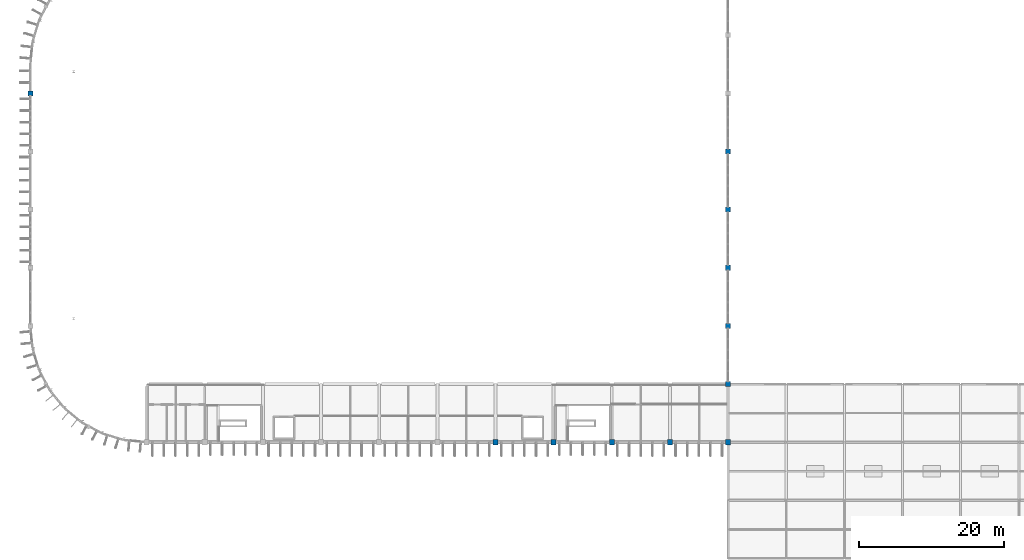
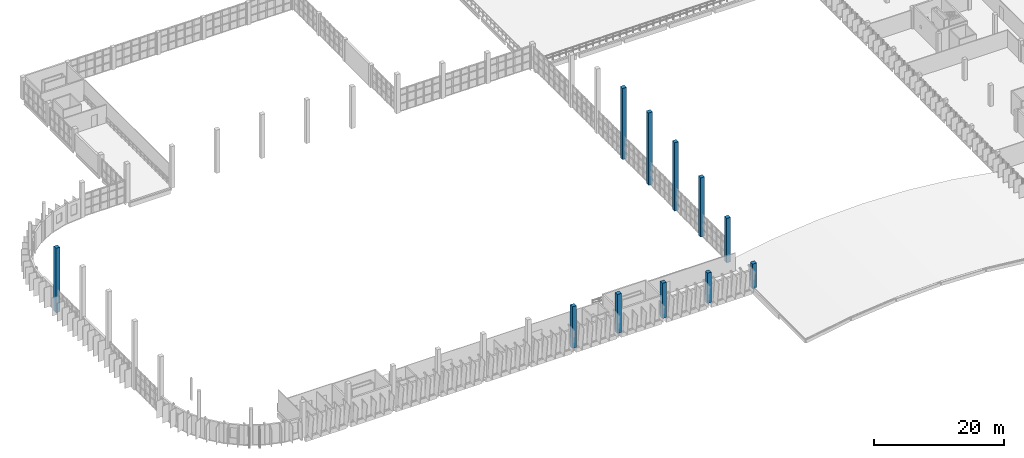
# One storey, part 4 of 66: 11 columns.
"""IFC4 building model written with IfcOpenShell, lengths in metres."""

from ifc_helpers import new_model, si_unit, direction, frame, origin, origin_2d, place, context, subcontext, project, spatial, rectangle, extrude, material, material_profile, profile_set, type_object, element, save


model = new_model("IFC4")

# Units and contexts
model_context = context("Model", 3, precision=1e-05, world=origin(), true_north=direction((0.0, 1.0)))
body_context = subcontext(model_context, "Body", "Model", "MODEL_VIEW")
ifc_project = project(units=[si_unit("LENGTHUNIT", "METRE"), si_unit("AREAUNIT", "SQUARE_METRE"), si_unit("VOLUMEUNIT", "CUBIC_METRE"), si_unit("PLANEANGLEUNIT", "RADIAN"), si_unit("MASSUNIT", "GRAM", prefix="KILO")], contexts=[model_context])

# Site, building, storey
site_placement = place(None, origin())
site = spatial("IfcSite", under=ifc_project, at=site_placement, CompositionType="ELEMENT")
building_placement = place(site_placement, origin())
building = spatial("IfcBuilding", under=site, at=building_placement, Name="Drelvana Railside Aquatics Centre", CompositionType="ELEMENT")
storey_placement = place(building_placement, frame((0.0, 0.0, 10.199951171875)))
storey = spatial("IfcBuildingStorey", under=building, at=storey_placement, Name="L02", CompositionType="ELEMENT", Elevation=10.199951171875)

# Columns
ifc_material = material(Name="Concrete C40/50", Category="concrete")
ifc_material_profile = material_profile(ifc_material, rectangle(XDim=0.699951171875, YDim=0.699951171875, at=origin_2d()), Name="RC 700x700")
ifc_profile_set = profile_set([ifc_material_profile], Name="Concrete C40/50")
column_type = type_object("IfcColumnType", Name="STR-COL-RC-700x700", PredefinedType="COLUMN", material=ifc_profile_set)
column_1_placement = place(storey_placement, frame((64.0, 16.0, 0.0), z_axis=(0.0, 0.0, 1.0), x_axis=(1.0, 0.0, 0.0)))
element("IfcColumn", 1, at=column_1_placement, inside=storey, type_object=column_type, Name="Column C-06 (L02)", PredefinedType="COLUMN", context=body_context, shape_type="SweptSolid", body=[
    extrude(rectangle(XDim=0.699951171875, YDim=0.699951171875, at=origin_2d()), origin(), (0.0, 0.0, 1.0), 7.824951171875),
])
column_2_placement = place(storey_placement, frame((72.0, 16.0, 0.0), z_axis=(0.0, 0.0, 1.0), x_axis=(1.0, 0.0, 0.0)))
element("IfcColumn", 2, at=column_2_placement, inside=storey, type_object=column_type, Name="Column C-06 (L02)", PredefinedType="COLUMN", context=body_context, shape_type="SweptSolid", body=[
    extrude(rectangle(XDim=0.699951171875, YDim=0.699951171875, at=origin_2d()), origin(), (0.0, 0.0, 1.0), 7.324951171875),
])
column_3_placement = place(storey_placement, frame((80.0, 16.0, 0.0), z_axis=(0.0, 0.0, 1.0), x_axis=(1.0, 0.0, 0.0)))
element("IfcColumn", 3, at=column_3_placement, inside=storey, type_object=column_type, Name="Column C-06 (L02)", PredefinedType="COLUMN", context=body_context, shape_type="SweptSolid", body=[
    extrude(rectangle(XDim=0.699951171875, YDim=0.699951171875, at=origin_2d()), origin(), (0.0, 0.0, 1.0), 6.625),
])
column_4_placement = place(storey_placement, frame((88.0, 16.0, 0.0), z_axis=(0.0, 0.0, 1.0), x_axis=(1.0, 0.0, 0.0)))
element("IfcColumn", 4, at=column_4_placement, inside=storey, type_object=column_type, Name="Column C-06 (L02)", PredefinedType="COLUMN", context=body_context, shape_type="SweptSolid", body=[
    extrude(rectangle(XDim=0.699951171875, YDim=0.699951171875, at=origin_2d()), origin(), (0.0, 0.0, 1.0), 5.72509765625),
])
column_5_placement = place(storey_placement, frame((96.0, 16.0, 0.0), z_axis=(0.0, 0.0, 1.0), x_axis=(1.0, 0.0, 0.0)))
element("IfcColumn", 5, at=column_5_placement, inside=storey, type_object=column_type, Name="Column C-06 (L02)", PredefinedType="COLUMN", context=body_context, shape_type="SweptSolid", body=[
    extrude(rectangle(XDim=0.699951171875, YDim=0.699951171875, at=origin_2d()), origin(), (0.0, 0.0, 1.0), 4.625),
])
column_6_placement = place(storey_placement, frame((0.0, 64.0, 0.0), z_axis=(0.0, 0.0, 1.0), x_axis=(1.0, 0.0, 0.0)))
element("IfcColumn", 6, at=column_6_placement, inside=storey, type_object=column_type, Name="Column C-06 (L02)", PredefinedType="COLUMN", context=body_context, shape_type="SweptSolid", body=[
    extrude(rectangle(XDim=0.699951171875, YDim=0.699951171875, at=origin_2d()), origin(), (0.0, 0.0, 1.0), 12.09912109375),
])
column_7_placement = place(storey_placement, frame((96.0, 24.0, 0.0), z_axis=(0.0, 0.0, 1.0), x_axis=(1.0, 0.0, 0.0)))
element("IfcColumn", 7, at=column_7_placement, inside=storey, type_object=column_type, Name="Column C-06 (L02)", PredefinedType="COLUMN", context=body_context, shape_type="SweptSolid", body=[
    extrude(rectangle(XDim=0.699951171875, YDim=0.699951171875, at=origin_2d()), origin(), (0.0, 0.0, 1.0), 8.362060546875),
])
column_8_placement = place(storey_placement, frame((96.0, 32.0, 0.0), z_axis=(0.0, 0.0, 1.0), x_axis=(1.0, 0.0, 0.0)))
element("IfcColumn", 8, at=column_8_placement, inside=storey, type_object=column_type, Name="Column C-06 (L02)", PredefinedType="COLUMN", context=body_context, shape_type="SweptSolid", body=[
    extrude(rectangle(XDim=0.699951171875, YDim=0.699951171875, at=origin_2d()), origin(), (0.0, 0.0, 1.0), 11.1025390625),
])
column_9_placement = place(storey_placement, frame((96.0, 40.0, 0.0), z_axis=(0.0, 0.0, 1.0), x_axis=(1.0, 0.0, 0.0)))
element("IfcColumn", 9, at=column_9_placement, inside=storey, type_object=column_type, Name="Column C-06 (L02)", PredefinedType="COLUMN", context=body_context, shape_type="SweptSolid", body=[
    extrude(rectangle(XDim=0.699951171875, YDim=0.699951171875, at=origin_2d()), origin(), (0.0, 0.0, 1.0), 12.846435546875),
])
column_10_placement = place(storey_placement, frame((96.0, 48.0, 0.0), z_axis=(0.0, 0.0, 1.0), x_axis=(1.0, 0.0, 0.0)))
element("IfcColumn", 10, at=column_10_placement, inside=storey, type_object=column_type, Name="Column C-06 (L02)", PredefinedType="COLUMN", context=body_context, shape_type="SweptSolid", body=[
    extrude(rectangle(XDim=0.699951171875, YDim=0.699951171875, at=origin_2d()), origin(), (0.0, 0.0, 1.0), 13.593994140625),
])
column_11_placement = place(storey_placement, frame((96.0, 56.0, 0.0), z_axis=(0.0, 0.0, 1.0), x_axis=(1.0, 0.0, 0.0)))
element("IfcColumn", 11, at=column_11_placement, inside=storey, type_object=column_type, Name="Column C-06 (L02)", PredefinedType="COLUMN", context=body_context, shape_type="SweptSolid", body=[
    extrude(rectangle(XDim=0.699951171875, YDim=0.699951171875, at=origin_2d()), origin(), (0.0, 0.0, 1.0), 13.3447265625),
])

save(model, "model.ifc")
